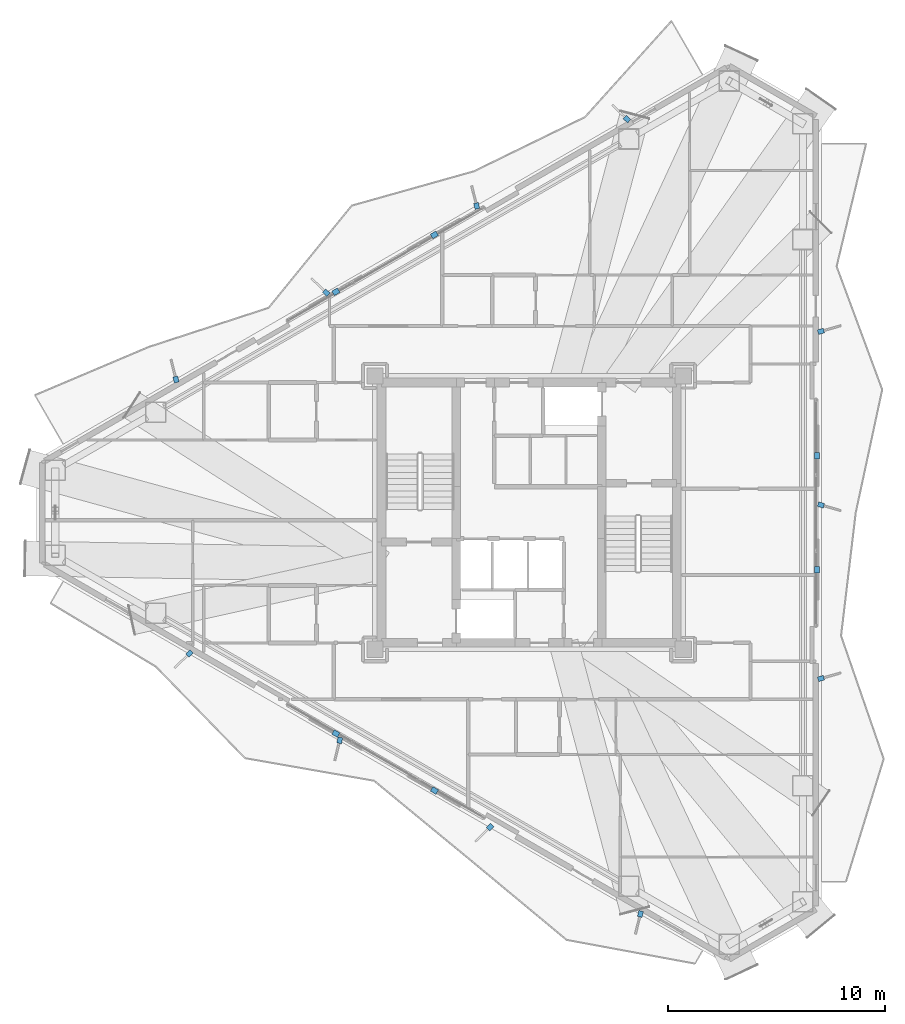
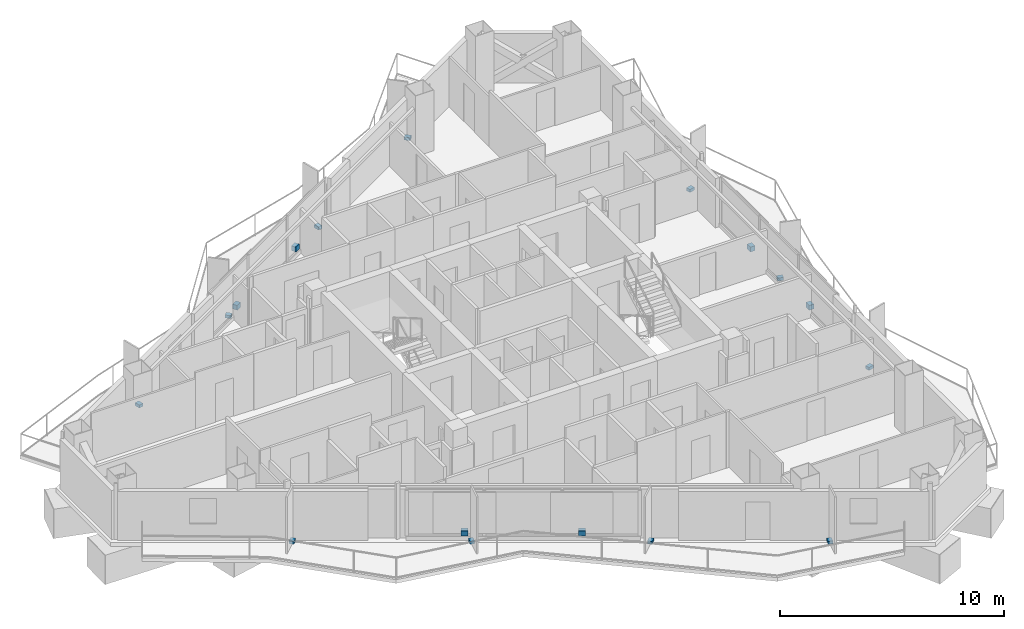
# One storey, part 19 of 21: 17 discrete accessories.
"""IFC4 building model written with IfcOpenShell, lengths in metres."""

from ifc_helpers import new_model, si_unit, direction, frame, origin, origin_2d, place, context, subcontext, project, spatial, rectangle, extrude, material, layer, layer_set, type_object, element, save


model = new_model("IFC4")

# Units and contexts
model_context = context("Model", 3, precision=1e-05, world=origin(), true_north=direction((0.0, 1.0)))
body_context = subcontext(model_context, "Body", "Model", "MODEL_VIEW")
ifc_project = project(units=[si_unit("LENGTHUNIT", "METRE"), si_unit("AREAUNIT", "SQUARE_METRE"), si_unit("VOLUMEUNIT", "CUBIC_METRE"), si_unit("PLANEANGLEUNIT", "RADIAN"), si_unit("MASSUNIT", "GRAM", prefix="KILO")], contexts=[model_context])

# Site, building, storey
site_placement = place(None, origin())
site = spatial("IfcSite", under=ifc_project, at=site_placement, CompositionType="ELEMENT")
building_placement = place(site_placement, origin())
building = spatial("IfcBuilding", under=site, at=building_placement, Name="Mersakhor Tower and Convention Hall", CompositionType="ELEMENT")
storey_placement = place(building_placement, frame((0.0, 0.0, 121.199951171875)))
storey = spatial("IfcBuildingStorey", under=building, at=storey_placement, Name="L33", CompositionType="ELEMENT", Elevation=121.199951171875)

# Discrete accessories
ifc_material = material(Name="Galvanised steel bracket", Category="steel")
ifc_layer = layer(ifc_material, 0.02001953125)
ifc_layer_set = layer_set([ifc_layer], Name="Galvanised steel bracket")
discrete_accessory_type = type_object("IfcDiscreteAccessoryType", Name="ACC-BRK-STL", PredefinedType="BRACKET", material=ifc_layer_set)
for number, where, z_axis, x_axis, name in (
    (1, (20.09521484375, 36.9306640625, 0.2900390625), (0.0, 0.0, 1.0), (0.866025403784, 0.5, 0.0), "L33 Solar Screen Outrigger Bracket BRK-1-1"),
    (2, (24.6357421875, 39.55224609375, 0.2900390625), (0.0, 0.0, 1.0), (0.866025403784, 0.5, 0.0), "L33 Solar Screen Outrigger Bracket BRK-1-2"),
):
    element("IfcDiscreteAccessory", number, at=place(storey_placement, frame(where, z_axis=z_axis, x_axis=x_axis)), inside=storey, type_object=discrete_accessory_type, Name=name, PredefinedType="BRACKET", context=body_context, shape_type="SweptSolid", body=[
        extrude(rectangle(XDim=0.300048828125, YDim=0.239990234375, at=origin_2d()), origin(), (0.0, 0.0, 1.0), 0.260009765625),
    ])
for number, where, z_axis, x_axis, name in (
    (3, (12.72900390625, 32.8857421875, -0.02001953125), (0.0, 0.0, 1.0), (-0.2419218956, 0.970295726276, 0.0), "L33 Facade Fin Base Cleat Bracket FBRK-1-1"),
    (4, (19.656982421875, 36.8857421875, -0.02001953125), (0.0, 0.0, 1.0), (-0.719339800339, 0.694658370459, 0.0), "L33 Facade Fin Base Cleat Bracket FBRK-1-2"),
    (5, (26.585205078125, 40.885498046875, -0.02001953125), (0.0, 0.0, 1.0), (-0.2419218956, 0.970295726276, 0.0), "L33 Facade Fin Base Cleat Bracket FBRK-1-3"),
    (6, (33.513427734375, 44.885498046875, -0.02001953125), (0.0, 0.0, 1.0), (-0.719339800339, 0.694658370459, 0.0), "L33 Facade Fin Base Cleat Bracket FBRK-1-4"),
):
    element("IfcDiscreteAccessory", number, at=place(storey_placement, frame(where, z_axis=z_axis, x_axis=x_axis)), inside=storey, type_object=discrete_accessory_type, Name=name, PredefinedType="BRACKET", context=body_context, shape_type="SweptSolid", body=[
        extrude(rectangle(XDim=0.280029296875, YDim=0.219970703125, at=origin_2d()), origin(), (0.0, 0.0, 1.0), 0.159912109375),
    ])
for number, where, z_axis, x_axis, name in (
    (7, (42.269287109375, 29.37158203125, 0.2900390625), (0.0, 0.0, 1.0), (0.0, -1.0, 0.0), "L33 Solar Screen Outrigger Bracket BRK-2-1"),
    (8, (42.269287109375, 24.12841796875, 0.2900390625), (0.0, 0.0, 1.0), (0.0, -1.0, 0.0), "L33 Solar Screen Outrigger Bracket BRK-2-2"),
):
    element("IfcDiscreteAccessory", number, at=place(storey_placement, frame(where, z_axis=z_axis, x_axis=x_axis)), inside=storey, type_object=discrete_accessory_type, Name=name, PredefinedType="BRACKET", context=body_context, shape_type="SweptSolid", body=[
        extrude(rectangle(XDim=0.300048828125, YDim=0.239990234375, at=origin_2d()), origin(), (0.0, 0.0, 1.0), 0.260009765625),
    ])
for number, where, z_axis, x_axis, name in (
    (9, (42.44921875, 35.106689453125, -0.02001953125), (0.0, 0.0, 1.0), (0.961261695938, 0.275637355817, 0.0), "L33 Facade Fin Base Cleat Bracket FBRK-2-1"),
    (10, (42.44921875, 27.106689453125, -0.02001953125), (0.0, 0.0, 1.0), (0.961261695938, -0.275637355817, 0.0), "L33 Facade Fin Base Cleat Bracket FBRK-2-2"),
    (11, (42.44921875, 19.106689453125, -0.02001953125), (0.0, 0.0, 1.0), (0.961261695938, 0.275637355817, 0.0), "L33 Facade Fin Base Cleat Bracket FBRK-2-3"),
):
    element("IfcDiscreteAccessory", number, at=place(storey_placement, frame(where, z_axis=z_axis, x_axis=x_axis)), inside=storey, type_object=discrete_accessory_type, Name=name, PredefinedType="BRACKET", context=body_context, shape_type="SweptSolid", body=[
        extrude(rectangle(XDim=0.280029296875, YDim=0.219970703125, at=origin_2d()), origin(), (0.0, 0.0, 1.0), 0.159912109375),
    ])
for number, where, z_axis, x_axis, name in (
    (12, (24.6357421875, 13.94775390625, 0.2900390625), (0.0, 0.0, 1.0), (-0.866025403784, 0.5, 0.0), "L33 Solar Screen Outrigger Bracket BRK-3-1"),
    (13, (20.09521484375, 16.5693359375, 0.2900390625), (0.0, 0.0, 1.0), (-0.866025403784, 0.5, 0.0), "L33 Solar Screen Outrigger Bracket BRK-3-2"),
):
    element("IfcDiscreteAccessory", number, at=place(storey_placement, frame(where, z_axis=z_axis, x_axis=x_axis)), inside=storey, type_object=discrete_accessory_type, Name=name, PredefinedType="BRACKET", context=body_context, shape_type="SweptSolid", body=[
        extrude(rectangle(XDim=0.300048828125, YDim=0.239990234375, at=origin_2d()), origin(), (0.0, 0.0, 1.0), 0.260009765625),
    ])
for number, where, z_axis, x_axis, name in (
    (14, (34.13134765625, 8.2578125, -0.02001953125), (0.0, 0.0, 1.0), (-0.2419218956, -0.970295726276, 0.0), "L33 Facade Fin Base Cleat Bracket FBRK-3-1"),
    (15, (27.203125, 12.2578125, -0.02001953125), (0.0, 0.0, 1.0), (-0.719339800339, -0.694658370459, 0.0), "L33 Facade Fin Base Cleat Bracket FBRK-3-2"),
    (16, (20.27490234375, 16.2578125, -0.02001953125), (0.0, 0.0, 1.0), (-0.2419218956, -0.970295726276, 0.0), "L33 Facade Fin Base Cleat Bracket FBRK-3-3"),
    (17, (13.3466796875, 20.2578125, -0.02001953125), (0.0, 0.0, 1.0), (-0.719339800339, -0.694658370459, 0.0), "L33 Facade Fin Base Cleat Bracket FBRK-3-4"),
):
    element("IfcDiscreteAccessory", number, at=place(storey_placement, frame(where, z_axis=z_axis, x_axis=x_axis)), inside=storey, type_object=discrete_accessory_type, Name=name, PredefinedType="BRACKET", context=body_context, shape_type="SweptSolid", body=[
        extrude(rectangle(XDim=0.280029296875, YDim=0.219970703125, at=origin_2d()), origin(), (0.0, 0.0, 1.0), 0.159912109375),
    ])

save(model, "model.ifc")
